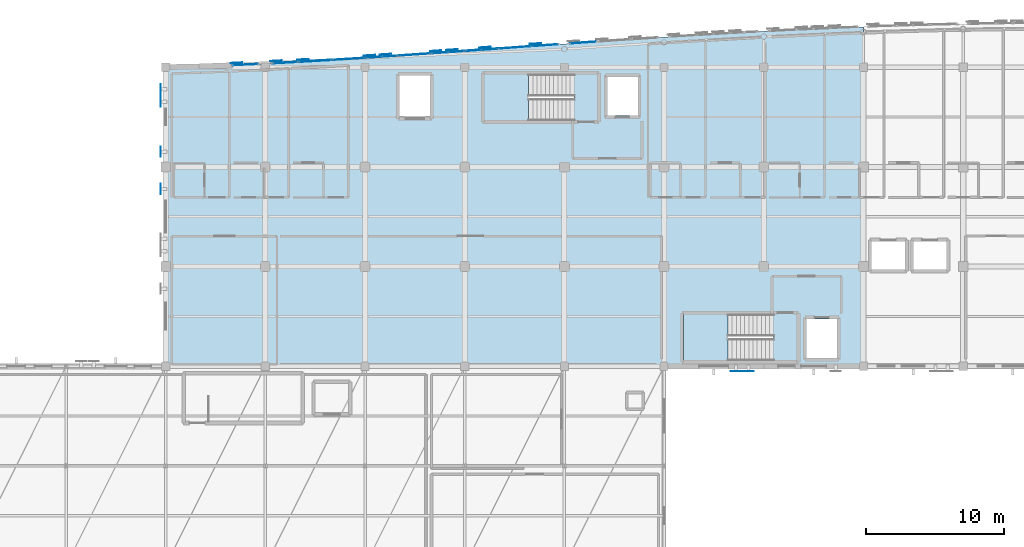
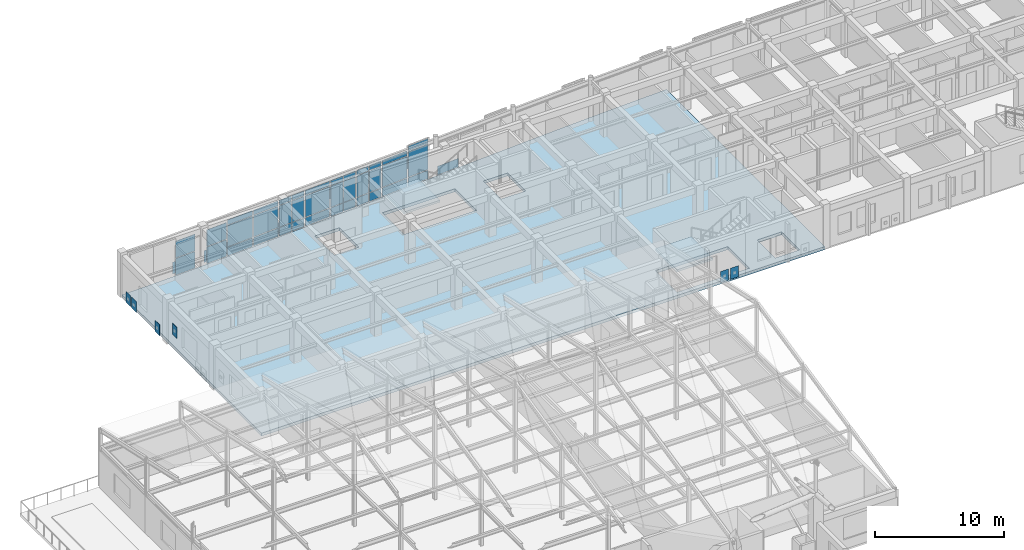
# One storey, part 71 of 113: 53 plates, 3 slabs, 13 elements without a shape of their own.
"""IFC4 building model written with IfcOpenShell, lengths in metres."""

from ifc_helpers import new_model, si_unit, direction, frame, origin, origin_2d, place, context, subcontext, project, spatial, polyline, rectangle, outline, extrude, material, layer, layer_set, type_object, element, aggregate, save


model = new_model("IFC4")

# Units and contexts
model_context = context("Model", 3, precision=1e-05, world=origin(), true_north=direction((0.0, 1.0)))
body_context = subcontext(model_context, "Body", "Model", "MODEL_VIEW")
ifc_project = project(units=[si_unit("LENGTHUNIT", "METRE"), si_unit("AREAUNIT", "SQUARE_METRE"), si_unit("VOLUMEUNIT", "CUBIC_METRE"), si_unit("PLANEANGLEUNIT", "RADIAN"), si_unit("MASSUNIT", "GRAM", prefix="KILO")], contexts=[model_context])

# Site, building, storey
site_placement = place(None, origin())
site = spatial("IfcSite", under=ifc_project, at=site_placement, CompositionType="ELEMENT")
building_placement = place(site_placement, origin())
building = spatial("IfcBuilding", under=site, at=building_placement, Name="Carrowvane Square Congress Hotel", CompositionType="ELEMENT")
storey_placement = place(building_placement, frame((0.0, 0.0, 15.0)))
storey = spatial("IfcBuildingStorey", under=building, at=storey_placement, Name="L03", CompositionType="ELEMENT", Elevation=15.0)

# Curtain wall, plates
ifc_material_1 = material(Name="Anodised aluminium", Category="aluminium")
ifc_layer_1 = layer(ifc_material_1, 0.197998046875)
ifc_layer_set_1 = layer_set([ifc_layer_1], Name="Anodised aluminium")
curtain_wall_type_1 = type_object("IfcCurtainWallType", Name="CW-SYS-4", PredefinedType="NOTDEFINED", material=ifc_layer_set_1)
curtain_wall_1_placement = place(storey_placement, origin())
curtain_wall_1 = element("IfcCurtainWall", 1, at=curtain_wall_1_placement, inside=storey, type_object=curtain_wall_type_1, Name="L03 unitised curtain wall 195", PredefinedType="NOTDEFINED")
ifc_material_2 = material(Name="Double-glazed low-E glass", Category="glass")
ifc_layer_2 = layer(ifc_material_2, 0.028076171875)
ifc_layer_set_2 = layer_set([ifc_layer_2], Name="Double-glazed low-E glass")
plate_type_1 = type_object("IfcPlateType", Name="CW-PAN-1", PredefinedType="CURTAIN_PANEL", material=ifc_layer_set_2)
plate_1_placement = place(storey_placement, frame((46.39990234375, 113.999267578125, 0.070068359375), z_axis=(0.0, 0.0, 1.0), x_axis=(0.997996225303, 0.063273487972, 0.0)))
plate_1 = element("IfcPlate", 2, at=plate_1_placement, type_object=plate_type_1, Name="CW-4 panel 1.1", PredefinedType="CURTAIN_PANEL", context=body_context, shape_type="SweptSolid", body=[
    extrude(rectangle(XDim=2.264892578125, YDim=0.028076171875, at=origin_2d()), origin(), (0.0, 0.0, 1.0), 0.794921875),
])
plate_2_placement = place(storey_placement, frame((46.39990234375, 113.999267578125, 0.93505859375), z_axis=(0.0, 0.0, 1.0), x_axis=(0.997996225303, 0.063273487972, 0.0)))
plate_2 = element("IfcPlate", 3, at=plate_2_placement, type_object=plate_type_1, Name="CW-4 panel 1.2", PredefinedType="CURTAIN_PANEL", context=body_context, shape_type="SweptSolid", body=[
    extrude(rectangle(XDim=2.264892578125, YDim=0.028076171875, at=origin_2d()), origin(), (0.0, 0.0, 1.0), 1.99560546875),
])
plate_3_placement = place(storey_placement, frame((46.39990234375, 113.999267578125, 3.00048828125), z_axis=(0.0, 0.0, 1.0), x_axis=(0.997996225303, 0.063273487972, 0.0)))
plate_3 = element("IfcPlate", 4, at=plate_3_placement, type_object=plate_type_1, Name="CW-4 panel 1.3", PredefinedType="CURTAIN_PANEL", context=body_context, shape_type="SweptSolid", body=[
    extrude(rectangle(XDim=2.264892578125, YDim=0.028076171875, at=origin_2d()), origin(), (0.0, 0.0, 1.0), 0.445068359375),
])
aggregate(curtain_wall_1, [plate_1, plate_2, plate_3])

ifc_material_3 = material(Name="Anodised aluminium", Category="aluminium")
ifc_layer_3 = layer(ifc_material_3, 0.162109375)
ifc_layer_set_3 = layer_set([ifc_layer_3], Name="Anodised aluminium")
curtain_wall_type_2 = type_object("IfcCurtainWallType", Name="CW-SYS-1", PredefinedType="NOTDEFINED", material=ifc_layer_set_3)
curtain_wall_2_placement = place(storey_placement, origin())
curtain_wall_2 = element("IfcCurtainWall", 5, at=curtain_wall_2_placement, inside=storey, type_object=curtain_wall_type_2, Name="L03 unitised curtain wall 200", PredefinedType="NOTDEFINED")
plate_4_placement = place(storey_placement, frame((58.39990234375, 114.8291015625, 0.06005859375), z_axis=(0.0, 0.0, 1.0), x_axis=(0.997438322595, 0.071531759512, 0.0)))
plate_4 = element("IfcPlate", 6, at=plate_4_placement, type_object=plate_type_1, Name="CW-1 panel 1.1", PredefinedType="CURTAIN_PANEL", context=body_context, shape_type="SweptSolid", body=[
    extrude(rectangle(XDim=2.2861328125, YDim=0.028076171875, at=origin_2d()), origin(), (0.0, 0.0, 1.0), 0.81005859375),
])
plate_5_placement = place(storey_placement, frame((58.39990234375, 114.8291015625, 0.93017578125), z_axis=(0.0, 0.0, 1.0), x_axis=(0.997438322595, 0.071531759512, 0.0)))
plate_5 = element("IfcPlate", 7, at=plate_5_placement, type_object=plate_type_1, Name="CW-1 panel 1.2", PredefinedType="CURTAIN_PANEL", context=body_context, shape_type="SweptSolid", body=[
    extrude(rectangle(XDim=2.2861328125, YDim=0.028076171875, at=origin_2d()), origin(), (0.0, 0.0, 1.0), 2.005615234375),
])
plate_6_placement = place(storey_placement, frame((58.39990234375, 114.8291015625, 2.99560546875), z_axis=(0.0, 0.0, 1.0), x_axis=(0.997438322595, 0.071531759512, 0.0)))
plate_6 = element("IfcPlate", 8, at=plate_6_placement, type_object=plate_type_1, Name="CW-1 panel 1.3", PredefinedType="CURTAIN_PANEL", context=body_context, shape_type="SweptSolid", body=[
    extrude(rectangle(XDim=2.2861328125, YDim=0.028076171875, at=origin_2d()), origin(), (0.0, 0.0, 1.0), 0.4599609375),
])
aggregate(curtain_wall_2, [plate_4, plate_5, plate_6])

ifc_material_4 = material(Name="Anodised aluminium", Category="aluminium")
ifc_layer_4 = layer(ifc_material_4, 0.2099609375)
ifc_layer_set_4 = layer_set([ifc_layer_4], Name="Anodised aluminium")
curtain_wall_type_3 = type_object("IfcCurtainWallType", Name="CW-SYS-5", PredefinedType="NOTDEFINED", material=ifc_layer_set_4)
curtain_wall_3_placement = place(storey_placement, origin())
curtain_wall_3 = element("IfcCurtainWall", 9, at=curtain_wall_3_placement, inside=storey, type_object=curtain_wall_type_3, Name="L03 unitised curtain wall 196", PredefinedType="NOTDEFINED")
ifc_material_5 = material(Name="Double-glazed low-E glass", Category="glass")
ifc_layer_5 = layer(ifc_material_5, 0.031982421875)
ifc_layer_set_5 = layer_set([ifc_layer_5], Name="Double-glazed low-E glass")
plate_type_2 = type_object("IfcPlateType", Name="CW-PAN-2", PredefinedType="CURTAIN_PANEL", material=ifc_layer_set_5)
plate_7_placement = place(storey_placement, frame((48.21484375, 114.116455078125, 0.06005859375), z_axis=(0.0, 0.0, 1.0), x_axis=(0.99778121937, 0.066578061501, 0.0)))
plate_7 = element("IfcPlate", 10, at=plate_7_placement, type_object=plate_type_2, Name="CW-5 panel 1.1", PredefinedType="CURTAIN_PANEL", context=body_context, shape_type="SweptSolid", body=[
    extrude(rectangle(XDim=1.112548828125, YDim=0.031982421875, at=origin_2d()), origin(), (0.0, 0.0, 1.0), 0.81005859375),
])
plate_8_placement = place(storey_placement, frame((48.21484375, 114.116455078125, 0.93017578125), z_axis=(0.0, 0.0, 1.0), x_axis=(0.99778121937, 0.066578061501, 0.0)))
plate_8 = element("IfcPlate", 11, at=plate_8_placement, type_object=plate_type_2, Name="CW-5 panel 1.2", PredefinedType="CURTAIN_PANEL", context=body_context, shape_type="SweptSolid", body=[
    extrude(rectangle(XDim=1.112548828125, YDim=0.031982421875, at=origin_2d()), origin(), (0.0, 0.0, 1.0), 2.005615234375),
])
plate_9_placement = place(storey_placement, frame((48.21484375, 114.116455078125, 2.99560546875), z_axis=(0.0, 0.0, 1.0), x_axis=(0.99778121937, 0.066578061501, 0.0)))
plate_9 = element("IfcPlate", 12, at=plate_9_placement, type_object=plate_type_2, Name="CW-5 panel 1.3", PredefinedType="CURTAIN_PANEL", context=body_context, shape_type="SweptSolid", body=[
    extrude(rectangle(XDim=1.112548828125, YDim=0.031982421875, at=origin_2d()), origin(), (0.0, 0.0, 1.0), 0.4599609375),
])
plate_10_placement = place(storey_placement, frame((49.385009765625, 114.1943359375, 0.06005859375), z_axis=(0.0, 0.0, 1.0), x_axis=(0.99778121937, 0.066578061501, 0.0)))
plate_10 = element("IfcPlate", 13, at=plate_10_placement, type_object=plate_type_2, Name="CW-5 panel 2.1", PredefinedType="CURTAIN_PANEL", context=body_context, shape_type="SweptSolid", body=[
    extrude(rectangle(XDim=1.112548828125, YDim=0.031982421875, at=origin_2d()), origin(), (0.0, 0.0, 1.0), 0.81005859375),
])
plate_11_placement = place(storey_placement, frame((49.385009765625, 114.1943359375, 0.93017578125), z_axis=(0.0, 0.0, 1.0), x_axis=(0.99778121937, 0.066578061501, 0.0)))
plate_11 = element("IfcPlate", 14, at=plate_11_placement, type_object=plate_type_2, Name="CW-5 panel 2.2", PredefinedType="CURTAIN_PANEL", context=body_context, shape_type="SweptSolid", body=[
    extrude(rectangle(XDim=1.112548828125, YDim=0.031982421875, at=origin_2d()), origin(), (0.0, 0.0, 1.0), 2.005615234375),
])
plate_12_placement = place(storey_placement, frame((49.385009765625, 114.1943359375, 2.99560546875), z_axis=(0.0, 0.0, 1.0), x_axis=(0.99778121937, 0.066578061501, 0.0)))
plate_12 = element("IfcPlate", 15, at=plate_12_placement, type_object=plate_type_2, Name="CW-5 panel 2.3", PredefinedType="CURTAIN_PANEL", context=body_context, shape_type="SweptSolid", body=[
    extrude(rectangle(XDim=1.112548828125, YDim=0.031982421875, at=origin_2d()), origin(), (0.0, 0.0, 1.0), 0.4599609375),
])
aggregate(curtain_wall_3, [plate_7, plate_8, plate_9, plate_10, plate_11, plate_12])

ifc_material_6 = material(Name="Anodised aluminium", Category="aluminium")
ifc_layer_6 = layer(ifc_material_6, 0.174072265625)
ifc_layer_set_6 = layer_set([ifc_layer_6], Name="Anodised aluminium")
curtain_wall_type_4 = type_object("IfcCurtainWallType", Name="CW-SYS-2", PredefinedType="NOTDEFINED", material=ifc_layer_set_6)
curtain_wall_4_placement = place(storey_placement, origin())
curtain_wall_4 = element("IfcCurtainWall", 16, at=curtain_wall_4_placement, inside=storey, type_object=curtain_wall_type_4, Name="L03 unitised curtain wall 201", PredefinedType="NOTDEFINED")
plate_13_placement = place(storey_placement, frame((60.5947265625, 114.986083984375, 0.070068359375), z_axis=(0.0, 0.0, 1.0), x_axis=(0.997479146426, 0.070960217342, 0.0)))
plate_13 = element("IfcPlate", 17, at=plate_13_placement, type_object=plate_type_2, Name="CW-2 panel 1.1", PredefinedType="CURTAIN_PANEL", context=body_context, shape_type="SweptSolid", body=[
    extrude(rectangle(XDim=1.8544921875, YDim=0.031982421875, at=origin_2d()), origin(), (0.0, 0.0, 1.0), 0.794921875),
])
plate_14_placement = place(storey_placement, frame((60.5947265625, 114.986083984375, 0.93505859375), z_axis=(0.0, 0.0, 1.0), x_axis=(0.997479146426, 0.070960217342, 0.0)))
plate_14 = element("IfcPlate", 18, at=plate_14_placement, type_object=plate_type_2, Name="CW-2 panel 1.2", PredefinedType="CURTAIN_PANEL", context=body_context, shape_type="SweptSolid", body=[
    extrude(rectangle(XDim=1.8544921875, YDim=0.031982421875, at=origin_2d()), origin(), (0.0, 0.0, 1.0), 2.419921875),
])
plate_15_placement = place(storey_placement, frame((60.5947265625, 114.986083984375, 3.4248046875), z_axis=(0.0, 0.0, 1.0), x_axis=(0.997479146426, 0.070960217342, 0.0)))
plate_15 = element("IfcPlate", 19, at=plate_15_placement, type_object=plate_type_2, Name="CW-2 panel 1.3", PredefinedType="CURTAIN_PANEL", context=body_context, shape_type="SweptSolid", body=[
    extrude(rectangle(XDim=1.8544921875, YDim=0.031982421875, at=origin_2d()), origin(), (0.0, 0.0, 1.0), 0.445068359375),
])
aggregate(curtain_wall_4, [plate_13, plate_14, plate_15])

curtain_wall_5_placement = place(storey_placement, origin())
curtain_wall_5 = element("IfcCurtainWall", 20, at=curtain_wall_5_placement, inside=storey, type_object=curtain_wall_type_2, Name="L03 unitised curtain wall 192", PredefinedType="NOTDEFINED")
ifc_material_7 = material(Name="Double-glazed low-E glass", Category="glass")
ifc_layer_7 = layer(ifc_material_7, 0.035888671875)
ifc_layer_set_7 = layer_set([ifc_layer_7], Name="Double-glazed low-E glass")
plate_type_3 = type_object("IfcPlateType", Name="CW-PAN-3", PredefinedType="CURTAIN_PANEL", material=ifc_layer_set_7)
plate_16_placement = place(storey_placement, frame((38.955810546875, 113.58544921875, 0.06005859375), z_axis=(0.0, 0.0, 1.0), x_axis=(0.998917263935, 0.046522035775, 0.0)))
plate_16 = element("IfcPlate", 21, at=plate_16_placement, type_object=plate_type_3, Name="CW-1 panel 1.1", PredefinedType="CURTAIN_PANEL", context=body_context, shape_type="SweptSolid", body=[
    extrude(rectangle(XDim=1.79345703125, YDim=0.035888671875, at=origin_2d()), origin(), (0.0, 0.0, 1.0), 1.572509765625),
])
plate_17_placement = place(storey_placement, frame((38.955810546875, 113.58544921875, 1.6923828125), z_axis=(0.0, 0.0, 1.0), x_axis=(0.998917263935, 0.046522035775, 0.0)))
plate_17 = element("IfcPlate", 22, at=plate_17_placement, type_object=plate_type_3, Name="CW-1 panel 1.2", PredefinedType="CURTAIN_PANEL", context=body_context, shape_type="SweptSolid", body=[
    extrude(rectangle(XDim=1.79345703125, YDim=0.035888671875, at=origin_2d()), origin(), (0.0, 0.0, 1.0), 1.572509765625),
])
aggregate(curtain_wall_5, [plate_16, plate_17])

ifc_material_8 = material(Name="Anodised aluminium", Category="aluminium")
ifc_layer_8 = layer(ifc_material_8, 0.221923828125)
ifc_layer_set_8 = layer_set([ifc_layer_8], Name="Anodised aluminium")
curtain_wall_type_5 = type_object("IfcCurtainWallType", Name="CW-SYS-6", PredefinedType="NOTDEFINED", material=ifc_layer_set_8)
curtain_wall_6_placement = place(storey_placement, origin())
curtain_wall_6 = element("IfcCurtainWall", 23, at=curtain_wall_6_placement, inside=storey, type_object=curtain_wall_type_5, Name="L03 unitised curtain wall 197", PredefinedType="NOTDEFINED")
plate_18_placement = place(storey_placement, frame((51.199951171875, 114.318359375, 0.070068359375), z_axis=(0.0, 0.0, 1.0), x_axis=(0.997617619706, 0.068986120725, 0.0)))
plate_18 = element("IfcPlate", 24, at=plate_18_placement, type_object=plate_type_3, Name="CW-6 panel 1.1", PredefinedType="CURTAIN_PANEL", context=body_context, shape_type="SweptSolid", body=[
    extrude(rectangle(XDim=2.265625, YDim=0.035888671875, at=origin_2d()), origin(), (0.0, 0.0, 1.0), 0.794921875),
])
plate_19_placement = place(storey_placement, frame((51.199951171875, 114.318359375, 0.93505859375), z_axis=(0.0, 0.0, 1.0), x_axis=(0.997617619706, 0.068986120725, 0.0)))
plate_19 = element("IfcPlate", 25, at=plate_19_placement, type_object=plate_type_3, Name="CW-6 panel 1.2", PredefinedType="CURTAIN_PANEL", context=body_context, shape_type="SweptSolid", body=[
    extrude(rectangle(XDim=2.265625, YDim=0.035888671875, at=origin_2d()), origin(), (0.0, 0.0, 1.0), 1.99560546875),
])
plate_20_placement = place(storey_placement, frame((51.199951171875, 114.318359375, 3.00048828125), z_axis=(0.0, 0.0, 1.0), x_axis=(0.997617619706, 0.068986120725, 0.0)))
plate_20 = element("IfcPlate", 26, at=plate_20_placement, type_object=plate_type_3, Name="CW-6 panel 1.3", PredefinedType="CURTAIN_PANEL", context=body_context, shape_type="SweptSolid", body=[
    extrude(rectangle(XDim=2.265625, YDim=0.035888671875, at=origin_2d()), origin(), (0.0, 0.0, 1.0), 0.445068359375),
])
aggregate(curtain_wall_6, [plate_18, plate_19, plate_20])

# Curtain wall, plate
ifc_material_9 = material(Name="Anodised aluminium", Category="aluminium")
ifc_layer_9 = layer(ifc_material_9, 0.18603515625)
ifc_layer_set_9 = layer_set([ifc_layer_9], Name="Anodised aluminium")
curtain_wall_type_6 = type_object("IfcCurtainWallType", Name="CW-SYS-3", PredefinedType="NOTDEFINED", material=ifc_layer_set_9)
curtain_wall_7_placement = place(storey_placement, origin())
curtain_wall_7 = element("IfcCurtainWall", 27, at=curtain_wall_7_placement, inside=storey, type_object=curtain_wall_type_6, Name="L03 unitised curtain wall 202", PredefinedType="NOTDEFINED")
plate_21_placement = place(storey_placement, frame((63.378662109375, 115.182373046875, 0.06005859375), z_axis=(0.0, 0.0, 1.0), x_axis=(0.997566332949, 0.069723822092, 0.0)))
plate_21 = element("IfcPlate", 28, at=plate_21_placement, type_object=plate_type_3, Name="CW-3 panel 1.1", PredefinedType="CURTAIN_PANEL", context=body_context, shape_type="SweptSolid", body=[
    extrude(rectangle(XDim=1.927734375, YDim=0.035888671875, at=origin_2d()), origin(), (0.0, 0.0, 1.0), 0.81005859375),
])
aggregate(curtain_wall_7, [plate_21])

# Curtain wall, plates
curtain_wall_8_placement = place(storey_placement, origin())
curtain_wall_8 = element("IfcCurtainWall", 29, at=curtain_wall_8_placement, inside=storey, type_object=curtain_wall_type_4, Name="L03 unitised curtain wall 193", PredefinedType="NOTDEFINED")
ifc_material_10 = material(Name="Double-glazed low-E glass", Category="glass")
ifc_layer_10 = layer(ifc_material_10, 0.0419921875)
ifc_layer_set_10 = layer_set([ifc_layer_10], Name="Double-glazed low-E glass")
plate_type_4 = type_object("IfcPlateType", Name="CW-PAN-4", PredefinedType="CURTAIN_PANEL", material=ifc_layer_set_10)
plate_22_placement = place(storey_placement, frame((41.83154296875, 113.7294921875, 0.06982421875), z_axis=(0.0, 0.0, 1.0), x_axis=(0.998567109091, 0.053513817306, 0.0)))
plate_22 = element("IfcPlate", 30, at=plate_22_placement, type_object=plate_type_4, Name="CW-2 panel 1.1", PredefinedType="CURTAIN_PANEL", context=body_context, shape_type="SweptSolid", body=[
    extrude(rectangle(XDim=1.799560546875, YDim=0.0419921875, at=origin_2d()), origin(), (0.0, 0.0, 1.0), 1.5576171875),
])
plate_23_placement = place(storey_placement, frame((41.83154296875, 113.7294921875, 1.697509765625), z_axis=(0.0, 0.0, 1.0), x_axis=(0.998567109091, 0.053513817306, 0.0)))
plate_23 = element("IfcPlate", 31, at=plate_23_placement, type_object=plate_type_4, Name="CW-2 panel 1.2", PredefinedType="CURTAIN_PANEL", context=body_context, shape_type="SweptSolid", body=[
    extrude(rectangle(XDim=1.799560546875, YDim=0.0419921875, at=origin_2d()), origin(), (0.0, 0.0, 1.0), 1.5576171875),
])
aggregate(curtain_wall_8, [plate_22, plate_23])

ifc_material_11 = material(Name="Anodised aluminium", Category="aluminium")
ifc_layer_11 = layer(ifc_material_11, 0.23388671875)
ifc_layer_set_11 = layer_set([ifc_layer_11], Name="Anodised aluminium")
curtain_wall_type_7 = type_object("IfcCurtainWallType", Name="CW-SYS-7", PredefinedType="NOTDEFINED", material=ifc_layer_set_11)
curtain_wall_9_placement = place(storey_placement, origin())
curtain_wall_9 = element("IfcCurtainWall", 32, at=curtain_wall_9_placement, inside=storey, type_object=curtain_wall_type_7, Name="L03 unitised curtain wall 198", PredefinedType="NOTDEFINED")
plate_24_placement = place(storey_placement, frame((53.014892578125, 114.445068359375, 0.06005859375), z_axis=(0.0, 0.0, 1.0), x_axis=(0.997505697746, 0.070585996942, 0.0)))
plate_24 = element("IfcPlate", 33, at=plate_24_placement, type_object=plate_type_4, Name="CW-7 panel 1.1", PredefinedType="CURTAIN_PANEL", context=body_context, shape_type="SweptSolid", body=[
    extrude(rectangle(XDim=1.113037109375, YDim=0.0419921875, at=origin_2d()), origin(), (0.0, 0.0, 1.0), 0.81005859375),
])
plate_25_placement = place(storey_placement, frame((53.014892578125, 114.445068359375, 0.93017578125), z_axis=(0.0, 0.0, 1.0), x_axis=(0.997505697746, 0.070585996942, 0.0)))
plate_25 = element("IfcPlate", 34, at=plate_25_placement, type_object=plate_type_4, Name="CW-7 panel 1.2", PredefinedType="CURTAIN_PANEL", context=body_context, shape_type="SweptSolid", body=[
    extrude(rectangle(XDim=1.113037109375, YDim=0.0419921875, at=origin_2d()), origin(), (0.0, 0.0, 1.0), 2.005615234375),
])
plate_26_placement = place(storey_placement, frame((53.014892578125, 114.445068359375, 2.99560546875), z_axis=(0.0, 0.0, 1.0), x_axis=(0.997505697746, 0.070585996942, 0.0)))
plate_26 = element("IfcPlate", 35, at=plate_26_placement, type_object=plate_type_4, Name="CW-7 panel 1.3", PredefinedType="CURTAIN_PANEL", context=body_context, shape_type="SweptSolid", body=[
    extrude(rectangle(XDim=1.113037109375, YDim=0.0419921875, at=origin_2d()), origin(), (0.0, 0.0, 1.0), 0.4599609375),
])
plate_27_placement = place(storey_placement, frame((54.18505859375, 114.52783203125, 0.06005859375), z_axis=(0.0, 0.0, 1.0), x_axis=(0.997505697746, 0.070585996942, 0.0)))
plate_27 = element("IfcPlate", 36, at=plate_27_placement, type_object=plate_type_4, Name="CW-7 panel 2.1", PredefinedType="CURTAIN_PANEL", context=body_context, shape_type="SweptSolid", body=[
    extrude(rectangle(XDim=1.113037109375, YDim=0.0419921875, at=origin_2d()), origin(), (0.0, 0.0, 1.0), 0.81005859375),
])
plate_28_placement = place(storey_placement, frame((54.18505859375, 114.52783203125, 0.93017578125), z_axis=(0.0, 0.0, 1.0), x_axis=(0.997505697746, 0.070585996942, 0.0)))
plate_28 = element("IfcPlate", 37, at=plate_28_placement, type_object=plate_type_4, Name="CW-7 panel 2.2", PredefinedType="CURTAIN_PANEL", context=body_context, shape_type="SweptSolid", body=[
    extrude(rectangle(XDim=1.113037109375, YDim=0.0419921875, at=origin_2d()), origin(), (0.0, 0.0, 1.0), 2.005615234375),
])
plate_29_placement = place(storey_placement, frame((54.18505859375, 114.52783203125, 2.99560546875), z_axis=(0.0, 0.0, 1.0), x_axis=(0.997505697746, 0.070585996942, 0.0)))
plate_29 = element("IfcPlate", 38, at=plate_29_placement, type_object=plate_type_4, Name="CW-7 panel 2.3", PredefinedType="CURTAIN_PANEL", context=body_context, shape_type="SweptSolid", body=[
    extrude(rectangle(XDim=1.113037109375, YDim=0.0419921875, at=origin_2d()), origin(), (0.0, 0.0, 1.0), 0.4599609375),
])
aggregate(curtain_wall_9, [plate_24, plate_25, plate_26, plate_27, plate_28, plate_29])

curtain_wall_10_placement = place(storey_placement, origin())
curtain_wall_10 = element("IfcCurtainWall", 39, at=curtain_wall_10_placement, inside=storey, type_object=curtain_wall_type_6, Name="L03 unitised curtain wall 194", PredefinedType="NOTDEFINED")
ifc_material_12 = material(Name="Double-glazed low-E glass", Category="glass")
ifc_layer_12 = layer(ifc_material_12, 0.048095703125)
ifc_layer_set_12 = layer_set([ifc_layer_12], Name="Double-glazed low-E glass")
plate_type_5 = type_object("IfcPlateType", Name="CW-PAN-5", PredefinedType="CURTAIN_PANEL", material=ifc_layer_set_12)
plate_30_placement = place(storey_placement, frame((44.0, 113.852294921875, 0.06005859375), z_axis=(0.0, 0.0, 1.0), x_axis=(0.99825866099, 0.058988522254, 0.0)))
plate_30 = element("IfcPlate", 40, at=plate_30_placement, type_object=plate_type_5, Name="CW-3 panel 1.1", PredefinedType="CURTAIN_PANEL", context=body_context, shape_type="SweptSolid", body=[
    extrude(rectangle(XDim=2.2841796875, YDim=0.048095703125, at=origin_2d()), origin(), (0.0, 0.0, 1.0), 0.81005859375),
])
plate_31_placement = place(storey_placement, frame((44.0, 113.852294921875, 0.93017578125), z_axis=(0.0, 0.0, 1.0), x_axis=(0.99825866099, 0.058988522254, 0.0)))
plate_31 = element("IfcPlate", 41, at=plate_31_placement, type_object=plate_type_5, Name="CW-3 panel 1.2", PredefinedType="CURTAIN_PANEL", context=body_context, shape_type="SweptSolid", body=[
    extrude(rectangle(XDim=2.2841796875, YDim=0.048095703125, at=origin_2d()), origin(), (0.0, 0.0, 1.0), 2.005615234375),
])
plate_32_placement = place(storey_placement, frame((44.0, 113.852294921875, 2.99560546875), z_axis=(0.0, 0.0, 1.0), x_axis=(0.99825866099, 0.058988522254, 0.0)))
plate_32 = element("IfcPlate", 42, at=plate_32_placement, type_object=plate_type_5, Name="CW-3 panel 1.3", PredefinedType="CURTAIN_PANEL", context=body_context, shape_type="SweptSolid", body=[
    extrude(rectangle(XDim=2.2841796875, YDim=0.048095703125, at=origin_2d()), origin(), (0.0, 0.0, 1.0), 0.4599609375),
])
aggregate(curtain_wall_10, [plate_30, plate_31, plate_32])

ifc_material_13 = material(Name="Anodised aluminium", Category="aluminium")
ifc_layer_13 = layer(ifc_material_13, 0.24609375)
ifc_layer_set_13 = layer_set([ifc_layer_13], Name="Anodised aluminium")
curtain_wall_type_8 = type_object("IfcCurtainWallType", Name="CW-SYS-8", PredefinedType="NOTDEFINED", material=ifc_layer_set_13)
curtain_wall_11_placement = place(storey_placement, origin())
curtain_wall_11 = element("IfcCurtainWall", 43, at=curtain_wall_11_placement, inside=storey, type_object=curtain_wall_type_8, Name="L03 unitised curtain wall 199", PredefinedType="NOTDEFINED")
plate_33_placement = place(storey_placement, frame((55.41748046875, 114.615478515625, 0.070068359375), z_axis=(0.0, 0.0, 1.0), x_axis=(0.997446448898, 0.071418356042, 0.0)))
plate_33 = element("IfcPlate", 44, at=plate_33_placement, type_object=plate_type_5, Name="CW-8 panel 1.1", PredefinedType="CURTAIN_PANEL", context=body_context, shape_type="SweptSolid", body=[
    extrude(rectangle(XDim=1.09814453125, YDim=0.048095703125, at=origin_2d()), origin(), (0.0, 0.0, 1.0), 0.794921875),
])
plate_34_placement = place(storey_placement, frame((55.41748046875, 114.615478515625, 0.93505859375), z_axis=(0.0, 0.0, 1.0), x_axis=(0.997446448898, 0.071418356042, 0.0)))
plate_34 = element("IfcPlate", 45, at=plate_34_placement, type_object=plate_type_5, Name="CW-8 panel 1.2", PredefinedType="CURTAIN_PANEL", context=body_context, shape_type="SweptSolid", body=[
    extrude(rectangle(XDim=1.09814453125, YDim=0.048095703125, at=origin_2d()), origin(), (0.0, 0.0, 1.0), 1.99560546875),
])
plate_35_placement = place(storey_placement, frame((55.41748046875, 114.615478515625, 3.00048828125), z_axis=(0.0, 0.0, 1.0), x_axis=(0.997446448898, 0.071418356042, 0.0)))
plate_35 = element("IfcPlate", 46, at=plate_35_placement, type_object=plate_type_5, Name="CW-8 panel 1.3", PredefinedType="CURTAIN_PANEL", context=body_context, shape_type="SweptSolid", body=[
    extrude(rectangle(XDim=1.09814453125, YDim=0.048095703125, at=origin_2d()), origin(), (0.0, 0.0, 1.0), 0.445068359375),
])
plate_36_placement = place(storey_placement, frame((56.58251953125, 114.698974609375, 0.070068359375), z_axis=(0.0, 0.0, 1.0), x_axis=(0.997446448898, 0.071418356042, 0.0)))
plate_36 = element("IfcPlate", 47, at=plate_36_placement, type_object=plate_type_5, Name="CW-8 panel 2.1", PredefinedType="CURTAIN_PANEL", context=body_context, shape_type="SweptSolid", body=[
    extrude(rectangle(XDim=1.09814453125, YDim=0.048095703125, at=origin_2d()), origin(), (0.0, 0.0, 1.0), 0.794921875),
])
plate_37_placement = place(storey_placement, frame((56.58251953125, 114.698974609375, 0.93505859375), z_axis=(0.0, 0.0, 1.0), x_axis=(0.997446448898, 0.071418356042, 0.0)))
plate_37 = element("IfcPlate", 48, at=plate_37_placement, type_object=plate_type_5, Name="CW-8 panel 2.2", PredefinedType="CURTAIN_PANEL", context=body_context, shape_type="SweptSolid", body=[
    extrude(rectangle(XDim=1.09814453125, YDim=0.048095703125, at=origin_2d()), origin(), (0.0, 0.0, 1.0), 1.99560546875),
])
plate_38_placement = place(storey_placement, frame((56.58251953125, 114.698974609375, 3.00048828125), z_axis=(0.0, 0.0, 1.0), x_axis=(0.997446448898, 0.071418356042, 0.0)))
plate_38 = element("IfcPlate", 49, at=plate_38_placement, type_object=plate_type_5, Name="CW-8 panel 2.3", PredefinedType="CURTAIN_PANEL", context=body_context, shape_type="SweptSolid", body=[
    extrude(rectangle(XDim=1.09814453125, YDim=0.048095703125, at=origin_2d()), origin(), (0.0, 0.0, 1.0), 0.445068359375),
])
aggregate(curtain_wall_11, [plate_33, plate_34, plate_35, plate_36, plate_37, plate_38])

# Plates
ifc_material_14 = material(Name="Champagne-gold anodised aluminium", Category="aluminium")
ifc_layer_14 = layer(ifc_material_14, 0.011962890625)
ifc_layer_set_14 = layer_set([ifc_layer_14], Name="Champagne-gold anodised aluminium")
plate_type_6 = type_object("IfcPlateType", Name="PLT-PIX-GOLD12", PredefinedType="SHEET", material=ifc_layer_set_14)
for number, where, z_axis, x_axis, name in (
    (50, (32.833984375, 107.300048828125, 0.15478515625), (0.0, 0.0, 1.0), (0.0, 1.0, 0.0), "Champagne-gold pixel screen plate S-208"),
    (51, (32.833984375, 110.89990234375, 0.15478515625), (0.0, 0.0, 1.0), (0.0, 1.0, 0.0), "Champagne-gold pixel screen plate S-209"),
    (52, (32.833984375, 111.800048828125, 0.15478515625), (0.0, 0.0, 1.0), (0.0, 1.0, 0.0), "Champagne-gold pixel screen plate S-210"),
):
    element("IfcPlate", number, at=place(storey_placement, frame(where, z_axis=z_axis, x_axis=x_axis)), inside=storey, type_object=plate_type_6, Name=name, PredefinedType="SHEET", context=body_context, shape_type="SweptSolid", body=[
        extrude(rectangle(XDim=0.738037109375, YDim=0.011962890625, at=origin_2d()), origin(), (0.0, 0.0, 1.0), 1.050048828125),
    ])
for number, where, z_axis, x_axis, name in (
    (53, (41.1787109375, 113.860595703125, 0.119873046875), (0.0, 0.0, 1.0), (0.998566941363, 0.053516947007, 0.0), "Champagne-gold pixel screen plate 212"),
    (54, (56.277099609375, 114.843505859375, 1.58984375), (0.0, 0.0, 1.0), (0.997446326449, 0.071420066188, 0.0), "Champagne-gold pixel screen plate 218"),
    (55, (59.912109375, 115.103759765625, 1.58984375), (0.0, 0.0, 1.0), (0.997479379392, 0.070956942496, 0.0), "Champagne-gold pixel screen plate 219"),
):
    element("IfcPlate", number, at=place(storey_placement, frame(where, z_axis=z_axis, x_axis=x_axis)), inside=storey, type_object=plate_type_6, Name=name, PredefinedType="SHEET", context=body_context, shape_type="SweptSolid", body=[
        extrude(rectangle(XDim=0.827880859375, YDim=0.011962890625, at=origin_2d()), origin(), (0.0, 0.0, 1.0), 1.1201171875),
    ])
ifc_material_15 = material(Name="Champagne-gold anodised aluminium", Category="aluminium")
ifc_layer_15 = layer(ifc_material_15, 0.008056640625)
ifc_layer_set_15 = layer_set([ifc_layer_15], Name="Champagne-gold anodised aluminium")
plate_type_7 = type_object("IfcPlateType", Name="PLT-PIX-GOLD8", PredefinedType="SHEET", material=ifc_layer_set_15)
plate_39_placement = place(storey_placement, frame((32.8359375, 104.60009765625, 1.52490234375), z_axis=(0.0, 0.0, 1.0), x_axis=(0.0, 1.0, 0.0)))
element("IfcPlate", 56, at=plate_39_placement, inside=storey, type_object=plate_type_7, Name="Champagne-gold pixel screen plate S-207", PredefinedType="SHEET", context=body_context, shape_type="SweptSolid", body=[
    extrude(rectangle(XDim=0.738037109375, YDim=0.008056640625, at=origin_2d()), origin(), (0.0, 0.0, 1.0), 1.050048828125),
])
for number, where, z_axis, x_axis, name in (
    (57, (38.311767578125, 113.7197265625, 0.119873046875), (0.0, 0.0, 1.0), (0.99891730083, 0.046521243556, 0.0), "Champagne-gold pixel screen plate 211"),
    (58, (43.109619140625, 113.9638671875, 0.119873046875), (0.0, 0.0, 1.0), (0.998258866948, 0.05898503675, 0.0), "Champagne-gold pixel screen plate 213"),
    (59, (47.908203125, 114.26025390625, 0.119873046875), (0.0, 0.0, 1.0), (0.997781458784, 0.066574473385, 0.0), "Champagne-gold pixel screen plate 214"),
    (60, (49.078125, 114.33837890625, 0.119873046875), (0.0, 0.0, 1.0), (0.997781458784, 0.066574473385, 0.0), "Champagne-gold pixel screen plate 215"),
    (61, (52.70751953125, 114.587646484375, 1.58984375), (0.0, 0.0, 1.0), (0.997505756275, 0.070585169822, 0.0), "Champagne-gold pixel screen plate 216"),
    (62, (53.87744140625, 114.67041015625, 0.119873046875), (0.0, 0.0, 1.0), (0.997505756275, 0.070585169822, 0.0), "Champagne-gold pixel screen plate 217"),
):
    element("IfcPlate", number, at=place(storey_placement, frame(where, z_axis=z_axis, x_axis=x_axis)), inside=storey, type_object=plate_type_7, Name=name, PredefinedType="SHEET", context=body_context, shape_type="SweptSolid", body=[
        extrude(rectangle(XDim=0.827880859375, YDim=0.008056640625, at=origin_2d()), origin(), (0.0, 0.0, 1.0), 1.1201171875),
    ])
for number, where, z_axis, x_axis, name in (
    (63, (75.300048828125, 91.43603515625, 0.15478515625), (0.0, 0.0, 1.0), (-1.0, 0.0, 0.0), "Champagne-gold pixel screen plate S-287"),
    (64, (74.39990234375, 91.43603515625, 0.15478515625), (0.0, 0.0, 1.0), (-1.0, 0.0, 0.0), "Champagne-gold pixel screen plate S-288"),
):
    element("IfcPlate", number, at=place(storey_placement, frame(where, z_axis=z_axis, x_axis=x_axis)), inside=storey, type_object=plate_type_7, Name=name, PredefinedType="SHEET", context=body_context, shape_type="SweptSolid", body=[
        extrude(rectangle(XDim=0.738037109375, YDim=0.008056640625, at=origin_2d()), origin(), (0.0, 0.0, 1.0), 1.050048828125),
    ])

# Slab
ifc_material_16 = material(Name="Concrete C35/45", Category="concrete")
ifc_layer_16 = layer(ifc_material_16, 0.280029296875)
ifc_layer_set_16 = layer_set([ifc_layer_16], Name="Concrete C35/45")
slab_type_1 = type_object("IfcSlabType", Name="SLB-FLR-280", PredefinedType="FLOOR", material=ifc_layer_set_16)
slab_1_placement = place(storey_placement, frame((0.0, 0.0, -0.280029296875)))
element("IfcSlab", 65, at=slab_1_placement, inside=storey, type_object=slab_type_1, Name="L03 Hotel Wing slab panel 1", PredefinedType="FLOOR", context=body_context, shape_type="SweptSolid", body=[
    extrude(outline(polyline([(33.199951171875, 91.800048828125), (83.60009765625, 91.800048828125), (83.60009765625, 116.323974609375), (81.199951171875, 116.2275390625), (78.800048828125, 116.118408203125), (76.39990234375, 115.99755859375), (74.0, 115.86572265625), (71.60009765625, 115.724365234375), (69.199951171875, 115.57421875), (66.800048828125, 115.4169921875), (64.39990234375, 115.253662109375), (62.0, 115.0859375), (59.60009765625, 114.915283203125), (57.199951171875, 114.7431640625), (54.800048828125, 114.5712890625), (52.39990234375, 114.4013671875), (50.0, 114.235595703125), (47.60009765625, 114.075439453125), (45.199951171875, 113.923095703125), (42.800048828125, 113.78125), (40.39990234375, 113.65283203125), (38.0, 113.541015625), (35.60009765625, 113.45166015625), (33.199951171875, 113.39990234375), (33.199951171875, 91.800048828125)]), holes=[polyline([(62.679931640625, 112.89990234375), (56.199951171875, 112.89990234375), (56.199951171875, 109.5400390625), (62.679931640625, 109.5400390625), (62.679931640625, 112.89990234375)]), polyline([(77.080078125, 95.56005859375), (70.60009765625, 95.56005859375), (70.60009765625, 92.199951171875), (77.080078125, 92.199951171875), (77.080078125, 95.56005859375)]), polyline([(65.10009765625, 109.89990234375), (67.300048828125, 109.89990234375), (67.300048828125, 112.699951171875), (65.10009765625, 112.699951171875), (65.10009765625, 109.89990234375)]), polyline([(79.5, 92.39990234375), (81.699951171875, 92.39990234375), (81.699951171875, 95.199951171875), (79.5, 95.199951171875), (79.5, 92.39990234375)]), polyline([(50.10009765625, 109.800048828125), (52.300048828125, 109.800048828125), (52.300048828125, 112.800048828125), (50.10009765625, 112.800048828125), (50.10009765625, 109.800048828125)])]), origin(), (0.0, 0.0, 1.0), 0.280029296875),
])

# Stair, slab
ifc_material_17 = material(Name="Concrete C35/45", Category="concrete")
stair_type = type_object("IfcStairType", Name="STR-DOG-04", PredefinedType="HALF_TURN_STAIR", material=ifc_material_17)
stair_1_placement = place(storey_placement, origin())
stair_1 = element("IfcStair", 66, at=stair_1_placement, inside=storey, type_object=stair_type, Name="L03 Core C1 West Hotel Firefighting Stair", PredefinedType="HALF_TURN_STAIR")
ifc_material_18 = material(Name="Concrete C35/45", Category="concrete")
ifc_layer_17 = layer(ifc_material_18, 0.199951171875)
ifc_layer_set_17 = layer_set([ifc_layer_17], Name="Concrete C35/45")
slab_type_2 = type_object("IfcSlabType", Name="SLB-LND-200", PredefinedType="LANDING", material=ifc_layer_set_17)
slab_2_placement = place(storey_placement, frame((0.0, 0.0, 1.89990234375)))
slab_2 = element("IfcSlab", 67, at=slab_2_placement, type_object=slab_type_2, Name="ST1 landing 1", PredefinedType="LANDING", context=body_context, shape_type="SweptSolid", body=[
    extrude(outline(polyline([(59.419921875, 112.89990234375), (56.199951171875, 112.89990234375), (56.199951171875, 109.5400390625), (59.419921875, 109.5400390625), (59.419921875, 112.89990234375)])), origin(), (0.0, 0.0, 1.0), 0.2001953125),
])
aggregate(stair_1, [slab_2])

stair_2_placement = place(storey_placement, origin())
stair_2 = element("IfcStair", 68, at=stair_2_placement, inside=storey, type_object=stair_type, Name="L03 Core C2 Central Hotel Firefighting Stair", PredefinedType="HALF_TURN_STAIR")
slab_3_placement = place(storey_placement, frame((0.0, 0.0, 1.89990234375)))
slab_3 = element("IfcSlab", 69, at=slab_3_placement, type_object=slab_type_2, Name="ST2 landing 1", PredefinedType="LANDING", context=body_context, shape_type="SweptSolid", body=[
    extrude(outline(polyline([(73.820068359375, 95.56005859375), (70.60009765625, 95.56005859375), (70.60009765625, 92.199951171875), (73.820068359375, 92.199951171875), (73.820068359375, 95.56005859375)])), origin(), (0.0, 0.0, 1.0), 0.2001953125),
])
aggregate(stair_2, [slab_3])

save(model, "model.ifc")
